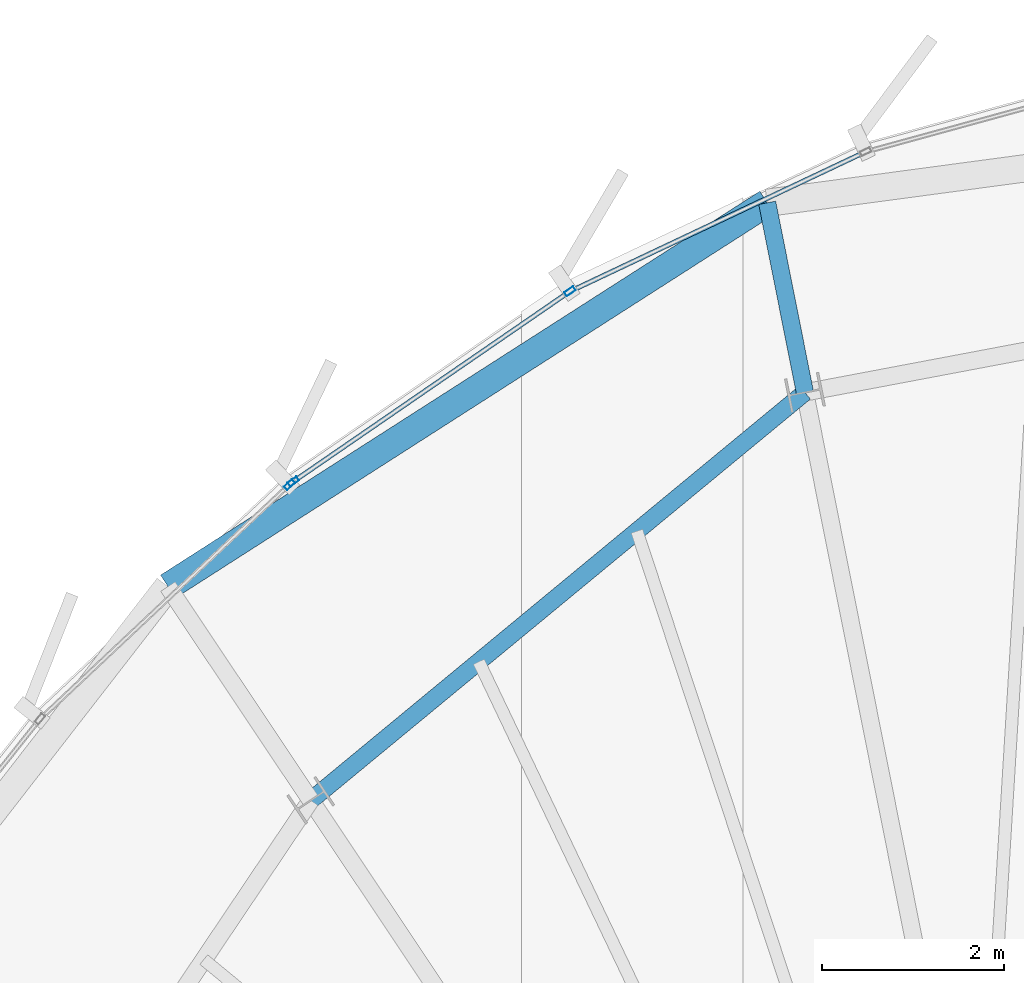
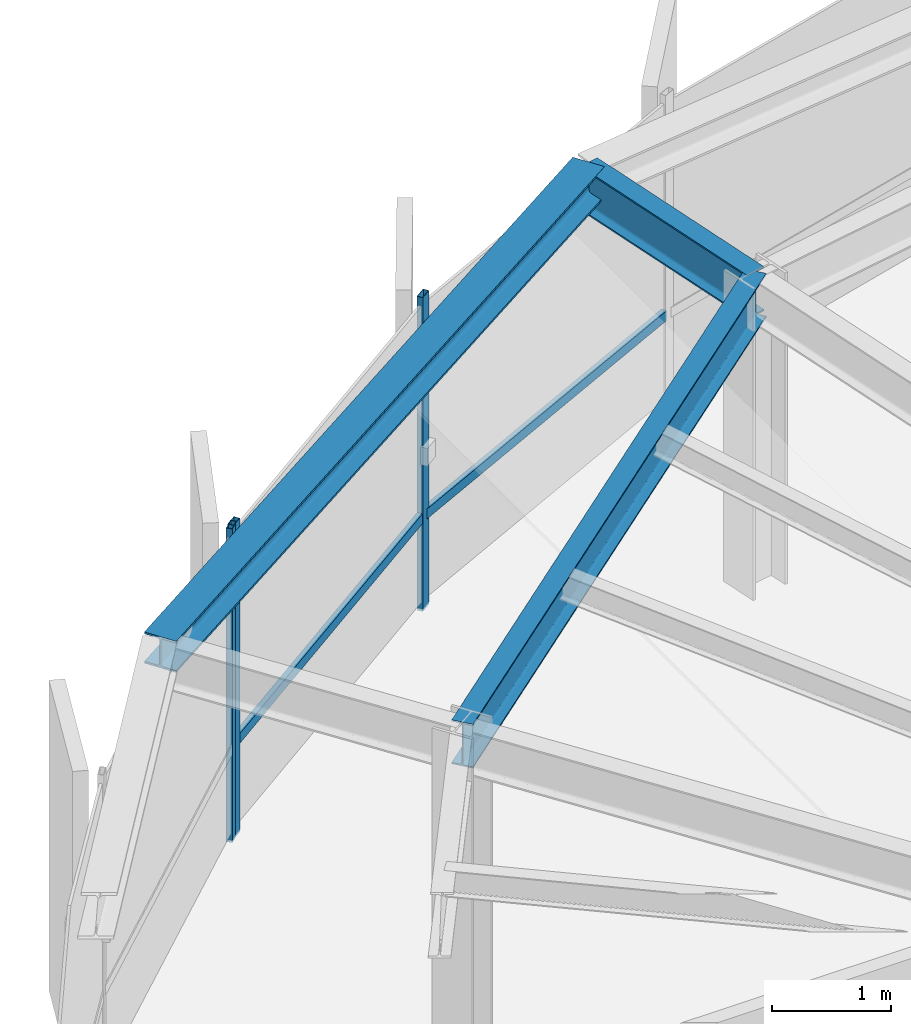
# One storey, part 19 of 31: 5 members, 3 beams, 2 elements without a shape of their own.
"""IFC4 building model written with IfcOpenShell, lengths in metres."""

import ifcopenshell
import ifcopenshell.guid

model = None  # the IFC model being written
_history = None  # IfcOwnerHistory: only IFC2X3 demands one
_inside = {}  # id of a spatial element -> (the spatial element, [elements in it])
_under = {}  # id of a project, library or spatial element -> (it, [spatial elements below it])
_declared = {}  # id of a project -> (the project, [libraries it declares])
_typed = {}  # id of a type object -> (the type object, [elements of that type])
_made_of = {}  # id of a material, layer set ... -> (it, [elements and type objects made of it])


def new_model(schema):
    """Start an empty IFC model of exactly this schema.

    Asked for "IFC4X3", IfcOpenShell would pick the latest addendum, in which some entities
    have other attributes; the version numbers below select the first issue.
    IFC2X3 requires an IfcOwnerHistory on every rooted entity: one is made here for all.
    """
    global model, _history
    if schema == "IFC4X3":
        model = ifcopenshell.file(schema_version=(4, 3, 0, 0))
    else:
        model = ifcopenshell.file(schema=schema)
    _inside.clear()
    _under.clear()
    _declared.clear()
    _typed.clear()
    _made_of.clear()
    _history = None
    if model.schema == "IFC2X3":
        org = make("IfcOrganization", Name="unknown")
        user = make(
            "IfcPersonAndOrganization",
            ThePerson=make("IfcPerson", FamilyName="unknown"),
            TheOrganization=org,
        )
        app = make(
            "IfcApplication",
            ApplicationDeveloper=org,
            Version="unknown",
            ApplicationFullName="unknown",
            ApplicationIdentifier="unknown",
        )
        _history = make(
            "IfcOwnerHistory",
            OwningUser=user,
            OwningApplication=app,
            ChangeAction="ADDED",
            CreationDate=0,
        )
    return model


def make(cls, **values):
    """One entity of the class cls with the attributes given. An attribute that is None is left unset."""
    return model.create_entity(
        cls, **{name: value for name, value in values.items() if value is not None}
    )


def rooted(cls, **values):
    """An entity with a GlobalId (a new one), such as an element, a storey or a relation."""
    return make(cls, GlobalId=ifcopenshell.guid.new(), OwnerHistory=_history, **values)


def si_unit(unit_type, name, prefix=None):
    """IfcSIUnit, for example si_unit("LENGTHUNIT", "METRE", prefix="MILLI")."""
    return make("IfcSIUnit", UnitType=unit_type, Prefix=prefix, Name=name)


def assignment(units):
    """IfcUnitAssignment: the units of a project."""
    return None if units is None else make("IfcUnitAssignment", Units=units)


def point(xyz):
    """IfcCartesianPoint."""
    return None if xyz is None else make("IfcCartesianPoint", Coordinates=xyz)


def direction(xyz):
    """IfcDirection."""
    return None if xyz is None else make("IfcDirection", DirectionRatios=xyz)


def frame(location, z_axis=None, x_axis=None):
    """IfcAxis2Placement3D, a coordinate frame: its origin and axes. An axis left out is left unset."""
    return make(
        "IfcAxis2Placement3D",
        Location=point(location),
        Axis=direction(z_axis),
        RefDirection=direction(x_axis),
    )


def frame_2d(location, x_axis=None):
    """IfcAxis2Placement2D, a coordinate frame in the plane: its origin and x axis."""
    return make(
        "IfcAxis2Placement2D", Location=point(location), RefDirection=direction(x_axis)
    )


def origin():
    """The frame at (0, 0, 0) with its axes left unset."""
    return frame((0.0, 0.0, 0.0))


def origin_2d():
    """The frame at (0, 0) in the plane with its x axis left unset."""
    return frame_2d((0.0, 0.0))


def place(relative_to, where):
    """IfcLocalPlacement: puts the frame where relative to a parent placement (None: the world)."""
    return make(
        "IfcLocalPlacement", PlacementRelTo=relative_to, RelativePlacement=where
    )


def context(
    kind, dimensions, precision=None, world=None, true_north=None, identifier=None
):
    """IfcGeometricRepresentationContext, for example the 3D "Model" context."""
    return make(
        "IfcGeometricRepresentationContext",
        ContextIdentifier=identifier,
        ContextType=kind,
        CoordinateSpaceDimension=dimensions,
        Precision=precision,
        WorldCoordinateSystem=world,
        TrueNorth=true_north,
    )


def subcontext(parent, identifier, kind, view, scale=None):
    """IfcGeometricRepresentationSubContext, for example "Body" below "Model"."""
    return make(
        "IfcGeometricRepresentationSubContext",
        ContextIdentifier=identifier,
        ContextType=kind,
        ParentContext=parent,
        TargetScale=scale,
        TargetView=view,
    )


def project(units=None, contexts=None):
    """IfcProject with its units and contexts."""
    return rooted(
        "IfcProject",
        Name="project",
        RepresentationContexts=contexts,
        UnitsInContext=assignment(units),
    )


def spatial(cls, under=None, at=None, **own):
    """A site, building, storey or space (cls), placed at a placement, below another one or the project."""
    s = rooted(cls, ObjectPlacement=at, **own)
    if under is not None:
        _under.setdefault(under.id(), (under, []))[1].append(s)
    return s


def profile(cls, at=None, kind="AREA", **sizes):
    """A parametric profile (cls). Its sizes go by their IFC names, for example OverallWidth=200.0."""
    return make(cls, ProfileType=kind, Position=at, **sizes)


def hollow_rectangle(**sizes):
    """IfcRectangleHollowProfileDef."""
    return profile("IfcRectangleHollowProfileDef", **sizes)


def i_section(**sizes):
    """IfcIShapeProfileDef."""
    return profile("IfcIShapeProfileDef", **sizes)


def extrude(swept, where, along, depth):
    """IfcExtrudedAreaSolid: the profile swept, set in the frame where, extruded along a direction by depth."""
    return make(
        "IfcExtrudedAreaSolid",
        SweptArea=swept,
        Position=where,
        ExtrudedDirection=direction(along),
        Depth=depth,
    )


def shape(context_of_items, identifier, shape_type, items):
    """IfcShapeRepresentation: the items that make up one representation, for example the "Body"."""
    return make(
        "IfcShapeRepresentation",
        ContextOfItems=context_of_items,
        RepresentationIdentifier=identifier,
        RepresentationType=shape_type,
        Items=items,
    )


def source(mapping_origin, context_of_items, identifier, shape_type, items):
    """IfcRepresentationMap: a shape defined once, which mapped items show again and again."""
    return make(
        "IfcRepresentationMap",
        MappingOrigin=mapping_origin,
        MappedRepresentation=shape(context_of_items, identifier, shape_type, items),
    )


def transform(
    local_origin,
    x_axis=None,
    y_axis=None,
    z_axis=None,
    scale=None,
    scale2=None,
    scale3=None,
    uniform=True,
):
    """IfcCartesianTransformationOperator3D, or its non-uniform kind. x_axis, y_axis, z_axis: its Axis1, 2, 3."""
    if uniform:
        return make(
            "IfcCartesianTransformationOperator3D",
            Axis1=direction(x_axis),
            Axis2=direction(y_axis),
            LocalOrigin=point(local_origin),
            Scale=scale,
            Axis3=direction(z_axis),
        )
    return make(
        "IfcCartesianTransformationOperator3DnonUniform",
        Axis1=direction(x_axis),
        Axis2=direction(y_axis),
        LocalOrigin=point(local_origin),
        Scale=scale,
        Axis3=direction(z_axis),
        Scale2=scale2,
        Scale3=scale3,
    )


def mapped(mapping_source, mapping_target):
    """IfcMappedItem: shows the shape of a source again, moved by a transform."""
    return make(
        "IfcMappedItem", MappingSource=mapping_source, MappingTarget=mapping_target
    )


def material(Name=None, Category=None):
    """IfcMaterial."""
    return make("IfcMaterial", Name=Name, Category=Category)


def layer(
    of_material, thickness, ventilated=None, Name=None, Category=None, Priority=None
):
    """IfcMaterialLayer: one layer of a wall or slab, of a material (None: an air gap)."""
    return make(
        "IfcMaterialLayer",
        Material=of_material,
        LayerThickness=thickness,
        IsVentilated=ventilated,
        Name=Name,
        Category=Category,
        Priority=Priority,
    )


def layer_set(layers, Name=None):
    """IfcMaterialLayerSet."""
    return make("IfcMaterialLayerSet", MaterialLayers=layers, LayerSetName=Name)


def material_profile(
    of_material, cross_section, Name=None, Category=None, Priority=None
):
    """IfcMaterialProfile: a cross section and its material."""
    return make(
        "IfcMaterialProfile",
        Name=Name,
        Material=of_material,
        Profile=cross_section,
        Priority=Priority,
        Category=Category,
    )


def profile_set(profiles, Name=None, composite=None):
    """IfcMaterialProfileSet."""
    return make(
        "IfcMaterialProfileSet",
        Name=Name,
        MaterialProfiles=profiles,
        CompositeProfile=composite,
    )


def made_of(thing, what):
    """Note that an element or type object is made of a material, layer set ...; save() writes the relation."""
    if what is not None:
        _made_of.setdefault(what.id(), (what, []))[1].append(thing)
    return thing


def type_object(cls, material=None, **own):
    """A type object (cls), such as IfcWallType, which elements share."""
    return made_of(rooted(cls, **own), material)


def element(
    cls,
    number,
    at=None,
    inside=None,
    cuts=None,
    type_object=None,
    material=None,
    context=None,
    identifier="Body",
    shape_type=None,
    held_by="IfcProductDefinitionShape",
    body=None,
    shapes=None,
    **own,
):
    """One element of the class cls, such as IfcWall. Its Tag is "e" and its number.

    at: its placement. inside: the storey or other place that contains it. cuts: it is an
    opening in that element (IfcRelVoidsElement). A single representation is given by context,
    identifier, shape_type and body (its items); several are given by shapes. held_by: the class
    of the entity that holds the representations. save() writes the other relations.
    """
    e = rooted(cls, Tag="e%d" % number, ObjectPlacement=at, **own)
    if body is not None:
        shapes = [shape(context, identifier, shape_type, body)]
    if shapes is not None:
        e.Representation = make(held_by, Representations=shapes)
    if inside is not None:
        _inside.setdefault(inside.id(), (inside, []))[1].append(e)
    if cuts is not None:
        rooted(
            "IfcRelVoidsElement", RelatingBuildingElement=cuts, RelatedOpeningElement=e
        )
    if type_object is not None:
        _typed.setdefault(type_object.id(), (type_object, []))[1].append(e)
    return made_of(e, material)


def aggregate(whole, parts):
    """IfcRelAggregates: a whole, such as a stair, and the parts it consists of."""
    return rooted("IfcRelAggregates", RelatingObject=whole, RelatedObjects=parts)


def save(model, path):
    """Write the relations noted so far, then the file.

    IfcRelAggregates (storeys below a building ...), IfcRelContainedInSpatialStructure (elements
    in a storey), IfcRelDefinesByType, IfcRelAssociatesMaterial and IfcRelDeclares: one each for
    every whole, place, type object, material and project.
    """
    for whole, parts in _under.values():
        aggregate(whole, parts)
    for where, things in _inside.values():
        rooted(
            "IfcRelContainedInSpatialStructure",
            RelatedElements=things,
            RelatingStructure=where,
        )
    for kind, things in _typed.values():
        rooted("IfcRelDefinesByType", RelatedObjects=things, RelatingType=kind)
    for what, things in _made_of.values():
        rooted("IfcRelAssociatesMaterial", RelatedObjects=things, RelatingMaterial=what)
    for by, libraries in _declared.values():
        rooted("IfcRelDeclares", RelatingContext=by, RelatedDefinitions=libraries)
    model.write(path)


model = new_model("IFC4")

# Units and contexts
model_context = context("Model", 3, precision=1e-05, world=origin(), true_north=direction((0.0, 1.0)))
body_context = subcontext(model_context, "Body", "Model", "MODEL_VIEW")
ifc_project = project(units=[si_unit("LENGTHUNIT", "METRE"), si_unit("AREAUNIT", "SQUARE_METRE"), si_unit("VOLUMEUNIT", "CUBIC_METRE"), si_unit("PLANEANGLEUNIT", "RADIAN"), si_unit("MASSUNIT", "GRAM", prefix="KILO"), si_unit("THERMODYNAMICTEMPERATUREUNIT", "KELVIN")], contexts=[model_context])

# Site, building, storey
site_placement = place(None, origin())
site = spatial("IfcSite", under=ifc_project, at=site_placement, CompositionType="ELEMENT")
building_placement = place(site_placement, origin())
building = spatial("IfcBuilding", under=site, at=building_placement, Name="Kethvar Cultural Tower", CompositionType="ELEMENT")
storey_placement = place(building_placement, frame((0.0, 0.0, 290.5)))
storey = spatial("IfcBuildingStorey", under=building, at=storey_placement, Name="L77", CompositionType="ELEMENT", Elevation=290.5)

# Beams
ifc_material_1 = material(Name="Steel S355J2", Category="steel")
ifc_material_profile_1 = material_profile(ifc_material_1, i_section(OverallWidth=0.18994140625, OverallDepth=0.449951171875, WebThickness=0.009521484375, FlangeThickness=0.0146484375, FilletRadius=0.02099609375, at=origin_2d()), Name="Steel S355J2 — IPE450")
ifc_profile_set_1 = profile_set([ifc_material_profile_1], Name="Steel S355J2 — IPE450")
beam_type_1 = type_object("IfcBeamType", Name="BM-IPE450", PredefinedType="BEAM", material=ifc_profile_set_1)
shared_shape_1 = source(origin(), body_context, "Body", "SweptSolid", [
    extrude(i_section(OverallWidth=0.18994140625, OverallDepth=0.449951171875, WebThickness=0.009521484375, FlangeThickness=0.0146484375, FilletRadius=0.02099609375, at=origin_2d()), origin(), (0.0, 0.0, 1.0), 7.03271484375),
])
beam_1_placement = place(storey_placement, frame((43.23291015625, 45.732421875, 2.98291015625), z_axis=(-0.771161072103, -0.636640087391, 0.0), x_axis=(0.636640087391, -0.771161072103, 0.0)))
element("IfcBeam", 1, at=beam_1_placement, inside=storey, type_object=beam_type_1, Name="L77 Column Ring Tie Beam CR-05", PredefinedType="BEAM", context=body_context, shape_type="MappedRepresentation", body=[
    mapped(shared_shape_1, transform((0.0, 0.0, 0.0), scale=1.0)),
])
shared_shape_2 = source(origin(), body_context, "Body", "SweptSolid", [
    extrude(i_section(OverallWidth=0.18994140625, OverallDepth=0.449951171875, WebThickness=0.009521484375, FlangeThickness=0.0146484375, FilletRadius=0.02099609375, at=origin_2d()), origin(), (0.0, 0.0, 1.0), 2.121826171875),
])
beam_2_placement = place(storey_placement, frame((43.23291015625, 45.732421875, 2.98291015625), z_axis=(-0.195031767846, 0.980796925735, 0.0), x_axis=(-0.980796925735, -0.195031767846, 0.0)))
element("IfcBeam", 2, at=beam_2_placement, inside=storey, type_object=beam_type_1, Name="L77 Perimeter Cantilever Beam RC-05", PredefinedType="BEAM", context=body_context, shape_type="MappedRepresentation", body=[
    mapped(shared_shape_2, transform((0.0, 0.0, 0.0), scale=1.0)),
])
ifc_material_profile_2 = material_profile(ifc_material_1, i_section(OverallWidth=0.300048828125, OverallDepth=0.320068359375, WebThickness=0.011474609375, FlangeThickness=0.0205078125, FilletRadius=0.027099609375, at=origin_2d()), Name="Steel S355J2 — HEB320")
ifc_profile_set_2 = profile_set([ifc_material_profile_2], Name="Steel S355J2 — HEB320")
beam_type_2 = type_object("IfcBeamType", Name="BM-SP320", PredefinedType="SPANDREL", material=ifc_profile_set_2)
shared_shape_3 = source(origin(), body_context, "Body", "SweptSolid", [
    extrude(i_section(OverallWidth=0.300048828125, OverallDepth=0.320068359375, WebThickness=0.011474609375, FlangeThickness=0.0205078125, FilletRadius=0.027099609375, at=origin_2d()), origin(), (0.0, 0.0, 1.0), 7.810302734375),
])
beam_3_placement = place(storey_placement, frame((42.819091796875, 47.8134765625, 3.048095703125), z_axis=(-0.842109569642, -0.539306473832, 0.0), x_axis=(0.539306473832, -0.842109569642, 0.0)))
element("IfcBeam", 3, at=beam_3_placement, inside=storey, type_object=beam_type_2, Name="L77 Perimeter Spandrel Beam SP-05", PredefinedType="SPANDREL", context=body_context, shape_type="MappedRepresentation", body=[
    mapped(shared_shape_3, transform((0.0, 0.0, 0.0), scale=1.0)),
])

# Curtain wall, members
ifc_material_2 = material(Name="Aluminium 6063-T6", Category="aluminium")
ifc_layer = layer(ifc_material_2, 0.179931640625, Name="Aluminium 6063-T6", Category="aluminium")
ifc_layer_set = layer_set([ifc_layer], Name="Aluminium 6063-T6 (180 mm)")
curtain_wall_type = type_object("IfcCurtainWallType", Name="CW-SYS-05-Z56", PredefinedType="NOTDEFINED", material=ifc_layer_set)
curtain_wall_1_placement = place(storey_placement, origin())
curtain_wall_1 = element("IfcCurtainWall", 4, at=curtain_wall_1_placement, inside=storey, type_object=curtain_wall_type, Name="L77 Curtain Wall Run 01", PredefinedType="NOTDEFINED")
ifc_material_profile_3 = material_profile(ifc_material_2, hollow_rectangle(XDim=0.054931640625, YDim=0.1201171875, WallThickness=0.00390625, at=origin_2d()), Name="Aluminium 6063-T6 — RHS120x55x4")
ifc_profile_set_3 = profile_set([ifc_material_profile_3], Name="Aluminium 6063-T6 — RHS120x55x4")
member_type_1 = type_object("IfcMemberType", Name="CW-SYS-05-Z56-MUL", PredefinedType="MULLION", material=ifc_profile_set_3)
shared_shape_4 = source(origin(), body_context, "Body", "SweptSolid", [
    extrude(hollow_rectangle(XDim=0.054931640625, YDim=0.1201171875, WallThickness=0.00390625, at=origin_2d()), origin(), (0.0, 0.0, 1.0), 3.2099609375),
])
member_1_placement = place(storey_placement, frame((40.654296875, 46.84228515625, 0.0), z_axis=(0.0, 0.0, 1.0), x_axis=(0.566636354284, -0.823967986031, 0.0)))
member_1 = element("IfcMember", 5, at=member_1_placement, type_object=member_type_1, Name="CW-L77-R01 Mullion 6", PredefinedType="MULLION", context=body_context, shape_type="MappedRepresentation", body=[
    mapped(shared_shape_4, transform((0.0, 0.0, 0.0), scale=1.0)),
])
member_2_placement = place(storey_placement, frame((37.61865234375, 44.754638671875, 0.0), z_axis=(0.0, 0.0, 1.0), x_axis=(0.566636354284, -0.823967986031, 0.0)))
member_2 = element("IfcMember", 6, at=member_2_placement, type_object=member_type_1, Name="CW-L77-R01 Mullion 7", PredefinedType="MULLION", context=body_context, shape_type="MappedRepresentation", body=[
    mapped(shared_shape_4, transform((0.0, 0.0, 0.0), scale=1.0)),
])

# Curtain wall, member
curtain_wall_2_placement = place(storey_placement, origin())
curtain_wall_2 = element("IfcCurtainWall", 7, at=curtain_wall_2_placement, inside=storey, type_object=curtain_wall_type, Name="L77 Curtain Wall Run 02", PredefinedType="NOTDEFINED")
member_3_placement = place(storey_placement, frame((37.574951171875, 44.719482421875, 0.0), z_axis=(0.0, 0.0, 1.0), x_axis=(0.684712486042, -0.728813289847, 0.0)))
member_3 = element("IfcMember", 8, at=member_3_placement, type_object=member_type_1, Name="CW-L77-R02 Mullion 1", PredefinedType="MULLION", context=body_context, shape_type="MappedRepresentation", body=[
    mapped(shared_shape_4, transform((0.0, 0.0, 0.0), scale=1.0)),
])
aggregate(curtain_wall_2, [member_3])

# Member
ifc_material_profile_4 = material_profile(ifc_material_2, hollow_rectangle(XDim=0.050048828125, YDim=0.10009765625, WallThickness=0.00390625, at=origin_2d()), Name="Aluminium 6063-T6 — RHS100x50x4")
ifc_profile_set_4 = profile_set([ifc_material_profile_4], Name="Aluminium 6063-T6 — RHS100x50x4")
member_type_2 = type_object("IfcMemberType", Name="CW-SYS-05-Z56-TRN", PredefinedType="USERDEFINED", material=ifc_profile_set_4)
shared_shape_5 = source(origin(), body_context, "Body", "SweptSolid", [
    extrude(hollow_rectangle(XDim=0.050048828125, YDim=0.10009765625, WallThickness=0.00390625, at=origin_2d()), origin(), (0.0, 0.0, 1.0), 3.526611328125),
])
member_4_placement = place(storey_placement, frame((43.864501953125, 48.357666015625, 0.949951171875), z_axis=(-0.904147636955, -0.427220143005, 0.0), x_axis=(0.427220143005, -0.904147636955, 0.0)))
member_4 = element("IfcMember", 9, at=member_4_placement, type_object=member_type_2, Name="CW-L77-R01 Transom 5", ObjectType="TRANSOM", PredefinedType="USERDEFINED", context=body_context, shape_type="MappedRepresentation", body=[
    mapped(shared_shape_5, transform((0.0, 0.0, 0.0), scale=1.0)),
])

shared_shape_6 = source(origin(), body_context, "Body", "SweptSolid", [
    extrude(hollow_rectangle(XDim=0.050048828125, YDim=0.10009765625, WallThickness=0.00390625, at=origin_2d()), origin(), (0.0, 0.0, 1.0), 3.640625),
])
member_5_placement = place(storey_placement, frame((40.62158203125, 46.81982421875, 0.949951171875), z_axis=(-0.823957779687, -0.566651195439, 0.0), x_axis=(0.566651195439, -0.823957779687, 0.0)))
member_5 = element("IfcMember", 10, at=member_5_placement, type_object=member_type_2, Name="CW-L77-R01 Transom 6", ObjectType="TRANSOM", PredefinedType="USERDEFINED", context=body_context, shape_type="MappedRepresentation", body=[
    mapped(shared_shape_6, transform((0.0, 0.0, 0.0), scale=1.0)),
])

aggregate(curtain_wall_1, [member_1, member_2, member_4, member_5])

save(model, "model.ifc")
